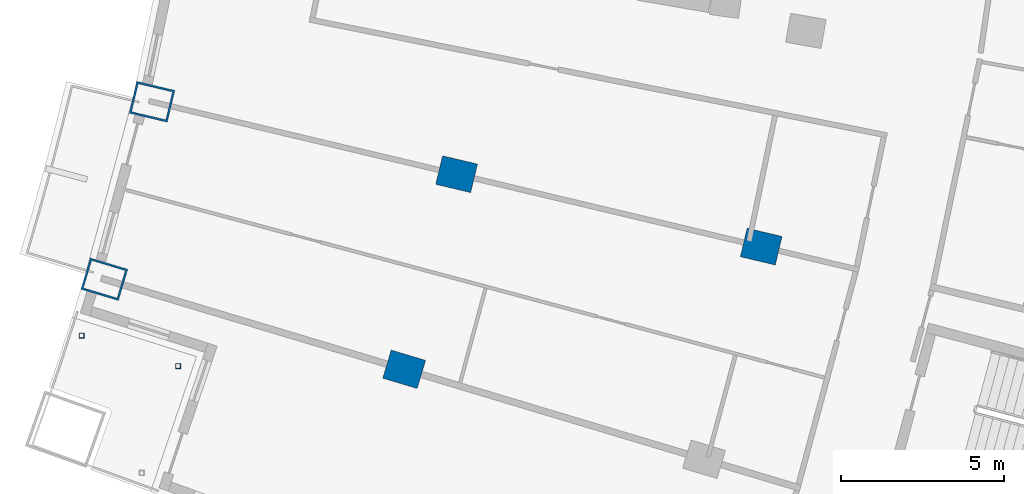
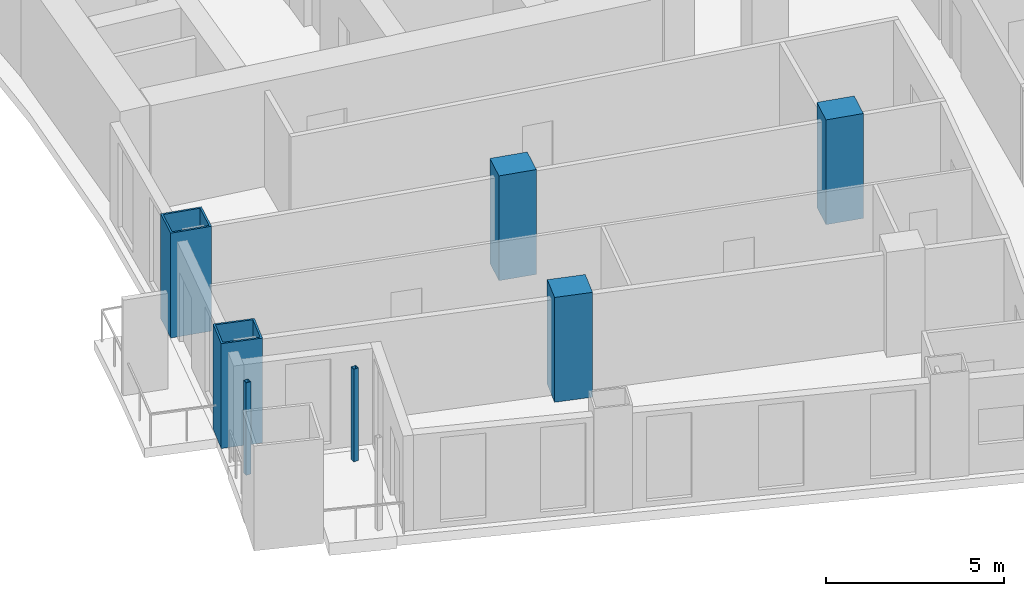
# One storey, part 3 of 25: 7 columns.
"""IFC4 building model written with IfcOpenShell, lengths in metres."""

from ifc_helpers import new_model, si_unit, direction, frame, origin, origin_2d, place, context, subcontext, project, spatial, rectangle, hollow_rectangle, extrude, material, material_profile, profile_set, type_object, element, save


model = new_model("IFC4")

# Units and contexts
model_context = context("Model", 3, precision=1e-05, world=origin(), true_north=direction((0.0, 1.0)))
body_context = subcontext(model_context, "Body", "Model", "MODEL_VIEW")
ifc_project = project(units=[si_unit("LENGTHUNIT", "METRE"), si_unit("AREAUNIT", "SQUARE_METRE"), si_unit("VOLUMEUNIT", "CUBIC_METRE"), si_unit("PLANEANGLEUNIT", "RADIAN"), si_unit("MASSUNIT", "GRAM", prefix="KILO")], contexts=[model_context])

# Site, building, storey
site_placement = place(None, origin())
site = spatial("IfcSite", under=ifc_project, at=site_placement, CompositionType="ELEMENT")
building_placement = place(site_placement, origin())
building = spatial("IfcBuilding", under=site, at=building_placement, Name="Alderwake Tower", CompositionType="ELEMENT")
storey_placement = place(building_placement, frame((0.0, 0.0, 57.199951171875)))
storey = spatial("IfcBuildingStorey", under=building, at=storey_placement, Name="L13", CompositionType="ELEMENT", Elevation=57.199951171875)

# Columns
ifc_material_1 = material(Name="Concrete C70/85", Category="concrete")
ifc_material_profile_1 = material_profile(ifc_material_1, rectangle(XDim=0.89990234375, YDim=1.10009765625, at=origin_2d()), Name="RC 1100X900")
ifc_profile_set_1 = profile_set([ifc_material_profile_1], Name="Concrete C70/85")
column_type_1 = type_object("IfcColumnType", Name="Interior column Z1", PredefinedType="COLUMN", material=ifc_profile_set_1)
for number, where, z_axis, x_axis, name in (
    (1, (21.714599609375, 30.46240234375, 0.0), (0.0, 0.0, 1.0), (0.287549418125, 0.957765802342, 0.0), "Column R02-C1"),
    (2, (23.322021484375, 36.444091796875, 0.0), (0.0, 0.0, 1.0), (0.231221547198, 0.972901123502, 0.0), "Column R03-C1"),
    (3, (32.661865234375, 34.224609375, 0.0), (0.0, 0.0, 1.0), (0.231221547198, 0.972901123502, 0.0), "Column R03-C2"),
):
    element("IfcColumn", number, at=place(storey_placement, frame(where, z_axis=z_axis, x_axis=x_axis)), inside=storey, type_object=column_type_1, Name=name, PredefinedType="COLUMN", context=body_context, shape_type="SweptSolid", body=[
        extrude(rectangle(XDim=0.89990234375, YDim=1.10009765625, at=origin_2d()), origin(), (0.0, 0.0, 1.0), 3.60009765625),
    ])
ifc_material_2 = material(Name="Steel ASTM A500 Grade C", Category="steel")
ifc_material_profile_2 = material_profile(ifc_material_2, hollow_rectangle(XDim=0.15234375, YDim=0.15234375, WallThickness=0.0087890625, at=origin_2d()), Name="HSS6X6X3/8")
ifc_profile_set_2 = profile_set([ifc_material_profile_2], Name="Steel ASTM A500 Grade C")
column_type_2 = type_object("IfcColumnType", Name="Light post HSS6X6X3/8", PredefinedType="COLUMN", material=ifc_profile_set_2)
for number, where, z_axis, x_axis, name in (
    (4, (11.82568359375, 31.492919921875, 0.0), (0.0, 0.0, 1.0), (1.0, 0.0, 0.0), "Terrace post RS1"),
    (5, (14.781494140625, 30.558349609375, 0.0), (0.0, 0.0, 1.0), (1.0, 0.0, 0.0), "Terrace post RS3"),
):
    element("IfcColumn", number, at=place(storey_placement, frame(where, z_axis=z_axis, x_axis=x_axis)), inside=storey, type_object=column_type_2, Name=name, PredefinedType="COLUMN", context=body_context, shape_type="SweptSolid", body=[
        extrude(hollow_rectangle(XDim=0.15234375, YDim=0.15234375, WallThickness=0.0087890625, at=origin_2d()), origin(), (0.0, 0.0, 1.0), 3.179931640625),
    ])
ifc_material_3 = material(Name="Steel ASTM A572 Grade 50 concrete filled C70/85", Category="concrete")
ifc_material_profile_3 = material_profile(ifc_material_3, hollow_rectangle(XDim=1.0, YDim=1.199951171875, WallThickness=0.06005859375, at=origin_2d()), Name="BOX 1200X1000X60")
ifc_profile_set_3 = profile_set([ifc_material_profile_3], Name="Steel ASTM A572 Grade 50 concrete filled C70/85")
column_type_3 = type_object("IfcColumnType", Name="Perimeter column Z1", PredefinedType="COLUMN", material=ifc_profile_set_3)
for number, where, z_axis, x_axis, name in (
    (6, (12.520263671875, 33.222900390625, 0.0), (0.0, 0.0, 1.0), (0.287549418125, 0.957765802342, 0.0), "Column R02-C0"),
    (7, (13.982177734375, 38.6640625, 0.0), (0.0, 0.0, 1.0), (0.231221547198, 0.972901123502, 0.0), "Column R03-C0"),
):
    element("IfcColumn", number, at=place(storey_placement, frame(where, z_axis=z_axis, x_axis=x_axis)), inside=storey, type_object=column_type_3, Name=name, PredefinedType="COLUMN", context=body_context, shape_type="SweptSolid", body=[
        extrude(hollow_rectangle(XDim=1.0, YDim=1.199951171875, WallThickness=0.06005859375, at=origin_2d()), origin(), (0.0, 0.0, 1.0), 3.60009765625),
    ])

save(model, "model.ifc")
